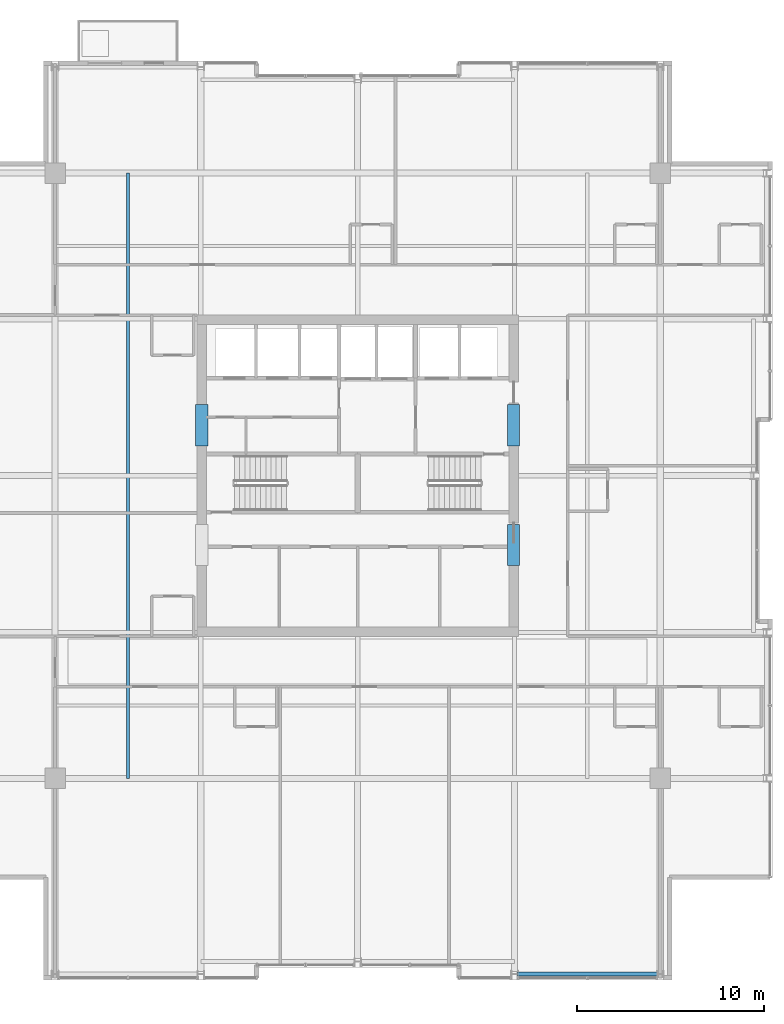
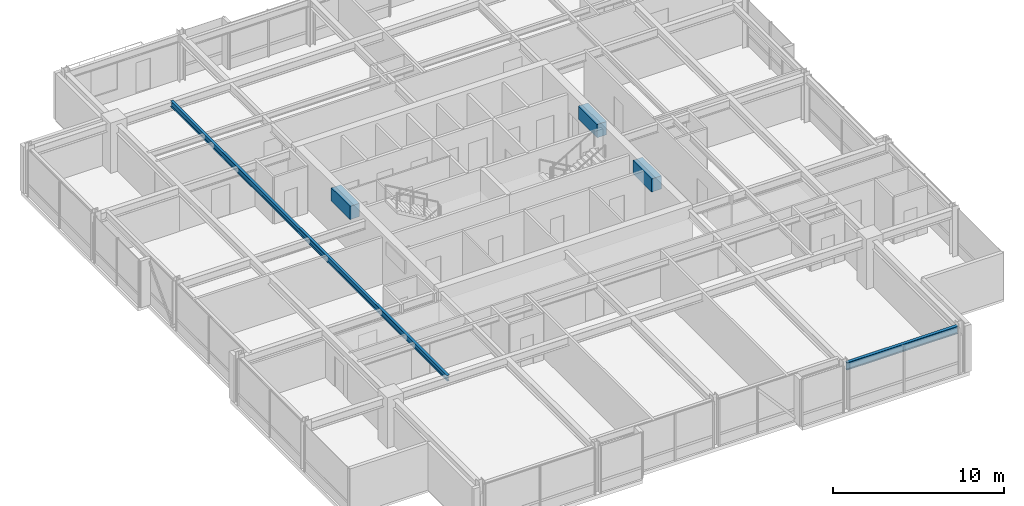
# One storey, part 11 of 31: 5 beams.
"""IFC4 building model written with IfcOpenShell, lengths in metres."""

from ifc_helpers import new_model, si_unit, direction, frame, origin, origin_2d, place, context, subcontext, project, spatial, rectangle, i_section, extrude, material, material_profile, profile_set, type_object, element, save


model = new_model("IFC4")

# Units and contexts
model_context = context("Model", 3, precision=1e-05, world=origin(), true_north=direction((0.0, 1.0)))
body_context = subcontext(model_context, "Body", "Model", "MODEL_VIEW")
ifc_project = project(units=[si_unit("LENGTHUNIT", "METRE"), si_unit("AREAUNIT", "SQUARE_METRE"), si_unit("VOLUMEUNIT", "CUBIC_METRE"), si_unit("PLANEANGLEUNIT", "RADIAN"), si_unit("MASSUNIT", "GRAM", prefix="KILO")], contexts=[model_context])

# Site, building, storey
site_placement = place(None, origin())
site = spatial("IfcSite", under=ifc_project, at=site_placement, CompositionType="ELEMENT")
building_placement = place(site_placement, origin())
building = spatial("IfcBuilding", under=site, at=building_placement, Name="Drelvath Grand Hotel", CompositionType="ELEMENT")
storey_placement = place(building_placement, frame((0.0, 0.0, 219.5)))
storey = spatial("IfcBuildingStorey", under=building, at=storey_placement, Name="L57", CompositionType="ELEMENT", Elevation=219.5)

# Beams
ifc_material_1 = material(Name="Steel ASTM A992 Gr 50", Category="steel")
ifc_material_profile_1 = material_profile(ifc_material_1, i_section(OverallWidth=0.177734375, OverallDepth=0.40673828125, WebThickness=0.0078125, FlangeThickness=0.0126953125, FilletRadius=0.014892578125, at=origin_2d()), Name="W16X40")
ifc_profile_set_1 = profile_set([ifc_material_profile_1], Name="Steel ASTM A992 Gr 50")
beam_type_1 = type_object("IfcBeamType", Name="Composite Floor Joist W16X40", PredefinedType="JOIST", material=ifc_profile_set_1)
beam_1_placement = place(storey_placement, frame((-12.300048828125, 10.800048828125, 3.13671875), z_axis=(0.0, 1.0, 0.0), x_axis=(-1.0, 0.0, 0.0)))
element("IfcBeam", 1, at=beam_1_placement, inside=storey, type_object=beam_type_1, Name="L57 Wing Floor Joist J3", PredefinedType="JOIST", context=body_context, shape_type="SweptSolid", body=[
    extrude(i_section(OverallWidth=0.177734375, OverallDepth=0.40673828125, WebThickness=0.0078125, FlangeThickness=0.0126953125, FilletRadius=0.014892578125, at=origin_2d()), origin(), (0.0, 0.0, 1.0), 32.39990234375),
])
ifc_material_2 = material(Name="Concrete f'c 55 MPa", Category="concrete")
ifc_material_profile_2 = material_profile(ifc_material_2, rectangle(XDim=0.64990234375, YDim=0.949951171875, at=origin_2d()), Name="CB650X950")
ifc_profile_set_2 = profile_set([ifc_material_profile_2], Name="Concrete f'c 55 MPa")
beam_type_2 = type_object("IfcBeamType", Name="Core Coupling Lintel CB650X950", PredefinedType="LINTEL", material=ifc_profile_set_2)
for number, where, z_axis, x_axis, name in (
    (2, (-8.35009765625, 28.60009765625, 2.864990234375), (0.0, 1.0, 0.0), (-1.0, 0.0, 0.0), "L57 Core Coupling Lintel WN"),
    (3, (8.35009765625, 22.199951171875, 2.864990234375), (0.0, 1.0, 0.0), (-1.0, 0.0, 0.0), "L57 Core Coupling Lintel ES"),
    (4, (8.35009765625, 28.60009765625, 2.864990234375), (0.0, 1.0, 0.0), (-1.0, 0.0, 0.0), "L57 Core Coupling Lintel EN"),
):
    element("IfcBeam", number, at=place(storey_placement, frame(where, z_axis=z_axis, x_axis=x_axis)), inside=storey, type_object=beam_type_2, Name=name, PredefinedType="LINTEL", context=body_context, shape_type="SweptSolid", body=[
        extrude(rectangle(XDim=0.64990234375, YDim=0.949951171875, at=origin_2d()), origin(), (0.0, 0.0, 1.0), 2.199951171875),
    ])
ifc_material_profile_3 = material_profile(ifc_material_1, i_section(OverallWidth=0.210205078125, OverallDepth=0.53662109375, WebThickness=0.010986328125, FlangeThickness=0.017333984375, FilletRadius=0.01806640625, at=origin_2d()), Name="W21X68")
ifc_profile_set_3 = profile_set([ifc_material_profile_3], Name="Steel ASTM A992 Gr 50")
beam_type_3 = type_object("IfcBeamType", Name="Perimeter Spandrel Beam W21X68", PredefinedType="SPANDREL", material=ifc_profile_set_3)
beam_2_placement = place(storey_placement, frame((8.5400390625, 0.320068359375, 3.07177734375), z_axis=(1.0, 0.0, 0.0), x_axis=(0.0, 1.0, 0.0)))
element("IfcBeam", 5, at=beam_2_placement, inside=storey, type_object=beam_type_3, Name="L57 Spandrel South E", PredefinedType="SPANDREL", context=body_context, shape_type="SweptSolid", body=[
    extrude(i_section(OverallWidth=0.210205078125, OverallDepth=0.53662109375, WebThickness=0.010986328125, FlangeThickness=0.017333984375, FilletRadius=0.01806640625, at=origin_2d()), origin(), (0.0, 0.0, 1.0), 7.52001953125),
])

save(model, "model.ifc")
